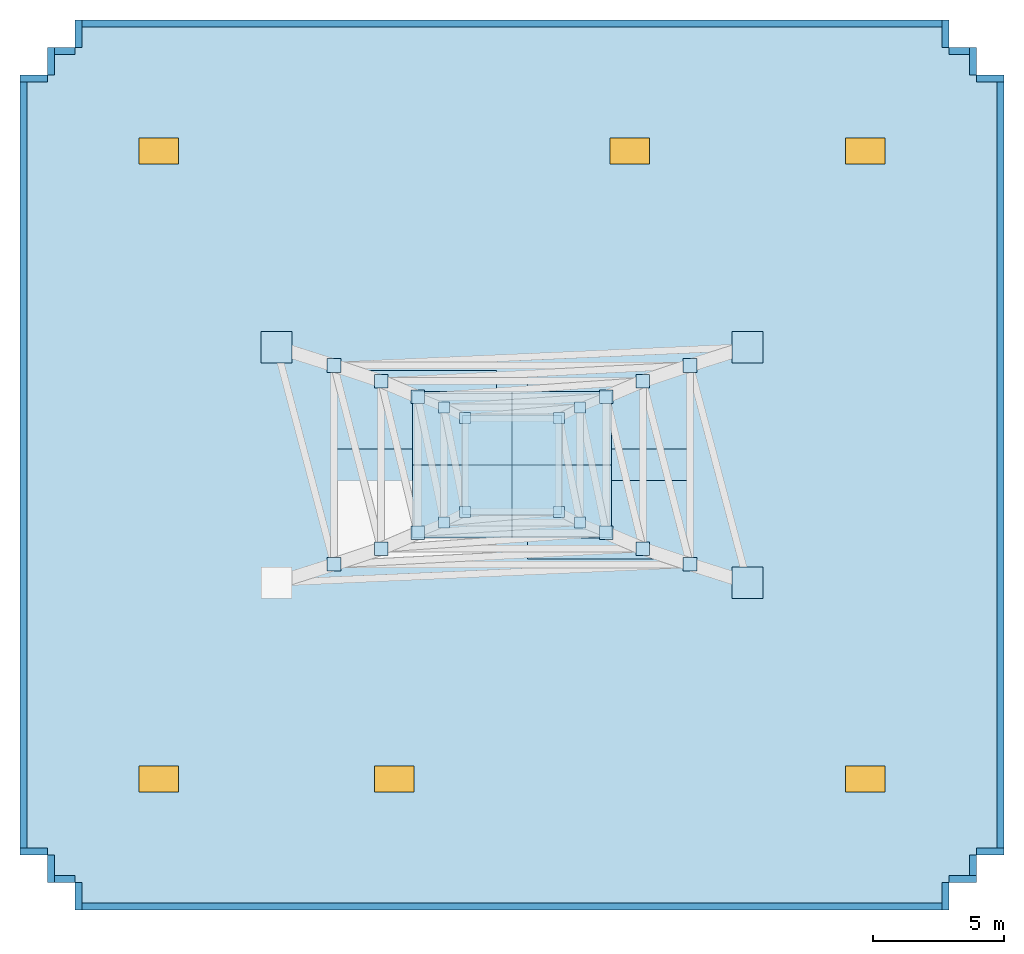
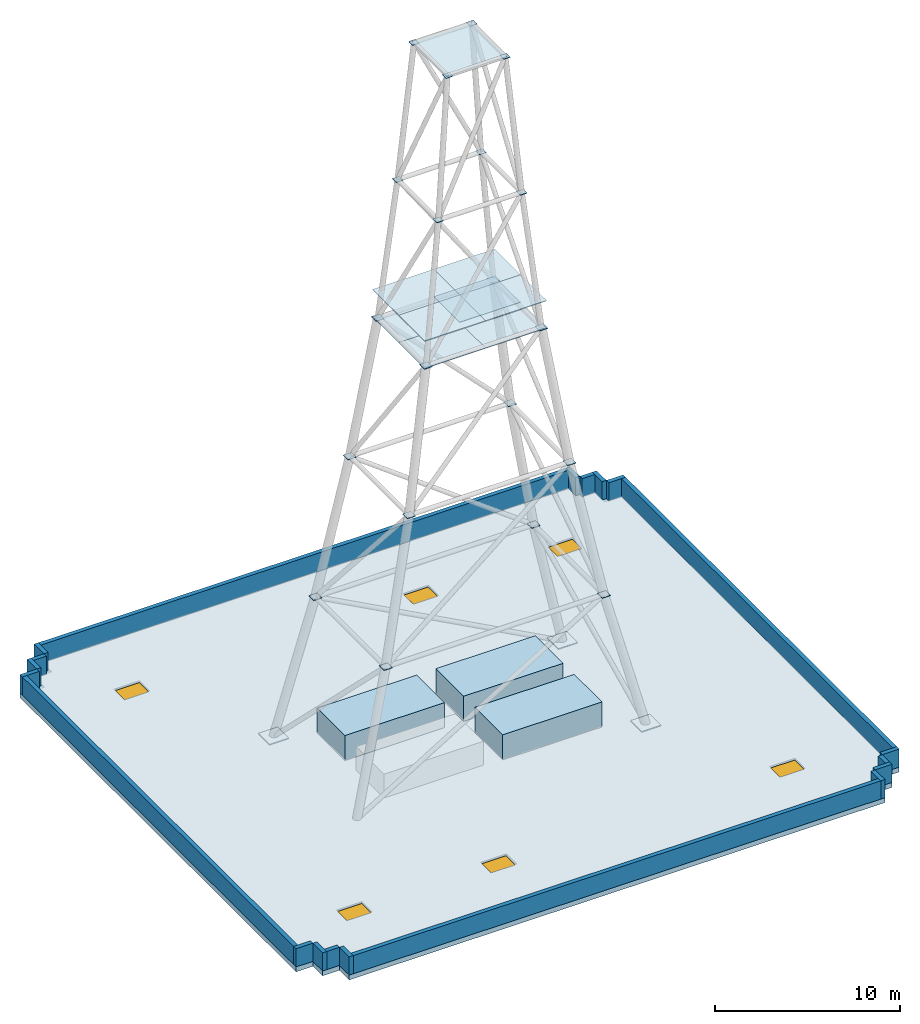
"""IFC4 building model written with IfcOpenShell, lengths in metres."""

from ifc_helpers import new_model, si_unit, direction, frame, frame_2d, origin, origin_2d, place, context, subcontext, project, spatial, polyline, rectangle, outline, extrude, source, transform, mapped, material, layer, layer_set, type_object, type_shapes, element, fill, save


model = new_model("IFC4")

# Units and contexts
model_context = context("Model", 3, precision=1e-05, world=origin(), true_north=direction((0.0, 1.0)))
body_context = subcontext(model_context, "Body", "Model", "MODEL_VIEW")
ifc_project = project(units=[si_unit("LENGTHUNIT", "METRE"), si_unit("AREAUNIT", "SQUARE_METRE"), si_unit("VOLUMEUNIT", "CUBIC_METRE"), si_unit("PLANEANGLEUNIT", "RADIAN"), si_unit("MASSUNIT", "GRAM", prefix="KILO")], contexts=[model_context])

# Site, building, storey
site_placement = place(None, origin())
site = spatial("IfcSite", under=ifc_project, at=site_placement, CompositionType="ELEMENT")
building_placement = place(site_placement, origin())
building = spatial("IfcBuilding", under=site, at=building_placement, Name="Nuvemarco Arch Tower", CompositionType="ELEMENT")
storey_1_placement = place(building_placement, frame((0.0, 0.0, 311.14990234375)))
storey_1 = spatial("IfcBuildingStorey", under=building, at=storey_1_placement, Name="RF", CompositionType="ELEMENT", Elevation=311.14990234375)

# Slab, openings
ifc_material_1 = material(Name="Concrete C50/60", Category="concrete")
ifc_layer_1 = layer(ifc_material_1, 0.320068359375, Name="SL-ROOF-320")
ifc_layer_set_1 = layer_set([ifc_layer_1], Name="Concrete C50/60")
slab_type = type_object("IfcSlabType", Name="SL-ROOF-320", PredefinedType="ROOF", material=ifc_layer_set_1)
slab_placement = place(storey_1_placement, frame((0.0, 0.0, -0.31982421875)))
slab = element("IfcSlab", 1, at=slab_placement, inside=storey_1, type_object=slab_type, Name="RF structural roof slab", PredefinedType="ROOF", context=body_context, shape_type="SweptSolid", body=[
    extrude(outline(polyline([(-16.699951171875, -17.0), (16.699951171875, -17.0), (16.699951171875, -15.949951171875), (17.75, -15.949951171875), (17.75, -14.89990234375), (18.800048828125, -14.89990234375), (18.800048828125, 14.89990234375), (17.75, 14.89990234375), (17.75, 15.949951171875), (16.699951171875, 15.949951171875), (16.699951171875, 17.0), (-16.699951171875, 17.0), (-16.699951171875, 15.949951171875), (-17.75, 15.949951171875), (-17.75, 14.89990234375), (-18.800048828125, 14.89990234375), (-18.800048828125, -14.89990234375), (-17.75, -14.89990234375), (-17.75, -15.949951171875), (-16.699951171875, -15.949951171875), (-16.699951171875, -17.0)])), origin(), (0.0, 0.0, 1.0), 0.31982421875),
])
opening_1_placement = place(slab_placement, frame((-13.5, -12.0, -0.010009765625)))
opening_1 = element("IfcOpeningElement", 2, at=opening_1_placement, cuts=slab, Name="Opening SK-1", PredefinedType="OPENING", context=body_context, shape_type="SweptSolid", body=[
    extrude(rectangle(XDim=1.5, YDim=1.0, at=origin_2d()), origin(), (0.0, 0.0, 1.0), 0.33984375),
])
opening_2_placement = place(slab_placement, frame((13.5, -12.0, -0.010009765625)))
opening_2 = element("IfcOpeningElement", 3, at=opening_2_placement, cuts=slab, Name="Opening SK-1", PredefinedType="OPENING", context=body_context, shape_type="SweptSolid", body=[
    extrude(rectangle(XDim=1.5, YDim=1.0, at=origin_2d()), origin(), (0.0, 0.0, 1.0), 0.33984375),
])
opening_3_placement = place(slab_placement, frame((-13.5, 12.0, -0.010009765625)))
opening_3 = element("IfcOpeningElement", 4, at=opening_3_placement, cuts=slab, Name="Opening SK-1", PredefinedType="OPENING", context=body_context, shape_type="SweptSolid", body=[
    extrude(rectangle(XDim=1.5, YDim=1.0, at=origin_2d()), origin(), (0.0, 0.0, 1.0), 0.33984375),
])
opening_4_placement = place(slab_placement, frame((13.5, 12.0, -0.010009765625)))
opening_4 = element("IfcOpeningElement", 5, at=opening_4_placement, cuts=slab, Name="Opening SK-1", PredefinedType="OPENING", context=body_context, shape_type="SweptSolid", body=[
    extrude(rectangle(XDim=1.5, YDim=1.0, at=origin_2d()), origin(), (0.0, 0.0, 1.0), 0.33984375),
])
opening_5_placement = place(slab_placement, frame((-4.5, -12.0, -0.010009765625)))
opening_5 = element("IfcOpeningElement", 6, at=opening_5_placement, cuts=slab, Name="Opening SK-1", PredefinedType="OPENING", context=body_context, shape_type="SweptSolid", body=[
    extrude(rectangle(XDim=1.5, YDim=1.0, at=origin_2d()), origin(), (0.0, 0.0, 1.0), 0.33984375),
])
opening_6_placement = place(slab_placement, frame((4.5, 12.0, -0.010009765625)))
opening_6 = element("IfcOpeningElement", 7, at=opening_6_placement, cuts=slab, Name="Opening SK-1", PredefinedType="OPENING", context=body_context, shape_type="SweptSolid", body=[
    extrude(rectangle(XDim=1.5, YDim=1.0, at=origin_2d()), origin(), (0.0, 0.0, 1.0), 0.33984375),
])

# Storey
storey_2_placement = place(building_placement, frame((0.0, 0.0, 307.14990234375)))
storey_2 = spatial("IfcBuildingStorey", under=building, at=storey_2_placement, Name="L81", CompositionType="ELEMENT", Elevation=307.14990234375)

# Window
ifc_material_2 = material(Name="Insulated solar-control glass", Category="glass")
window_type = type_object("IfcWindowType", Name="SK-ROOF-1500x1000", PartitioningType="SINGLE_PANEL", PredefinedType="SKYLIGHT", material=ifc_material_2)
window_1_placement = place(slab_placement, frame((-13.5, -12.0, 0.269775390625)))
window_1 = element("IfcWindow", 8, at=window_1_placement, inside=storey_2, type_object=window_type, Name="Roof skylight access hatch SK-1 #1", OverallHeight=1.0, OverallWidth=1.5, PartitioningType="SINGLE_PANEL", PredefinedType="SKYLIGHT", context=body_context, shape_type="SweptSolid", body=[
    extrude(rectangle(XDim=1.5, YDim=1.0, at=origin_2d()), origin(), (0.0, 0.0, 1.0), 0.050048828125),
])

fill(opening_1, window_1)

window_2_placement = place(slab_placement, frame((13.5, -12.0, 0.269775390625)))
window_2 = element("IfcWindow", 9, at=window_2_placement, inside=storey_2, type_object=window_type, Name="Roof skylight access hatch SK-1 #2", OverallHeight=1.0, OverallWidth=1.5, PartitioningType="SINGLE_PANEL", PredefinedType="SKYLIGHT", context=body_context, shape_type="SweptSolid", body=[
    extrude(rectangle(XDim=1.5, YDim=1.0, at=origin_2d()), origin(), (0.0, 0.0, 1.0), 0.050048828125),
])

fill(opening_2, window_2)

window_3_placement = place(slab_placement, frame((-13.5, 12.0, 0.269775390625)))
window_3 = element("IfcWindow", 10, at=window_3_placement, inside=storey_2, type_object=window_type, Name="Roof skylight access hatch SK-1 #3", OverallHeight=1.0, OverallWidth=1.5, PartitioningType="SINGLE_PANEL", PredefinedType="SKYLIGHT", context=body_context, shape_type="SweptSolid", body=[
    extrude(rectangle(XDim=1.5, YDim=1.0, at=origin_2d()), origin(), (0.0, 0.0, 1.0), 0.050048828125),
])

fill(opening_3, window_3)

window_4_placement = place(slab_placement, frame((13.5, 12.0, 0.269775390625)))
window_4 = element("IfcWindow", 11, at=window_4_placement, inside=storey_2, type_object=window_type, Name="Roof skylight access hatch SK-1 #4", OverallHeight=1.0, OverallWidth=1.5, PartitioningType="SINGLE_PANEL", PredefinedType="SKYLIGHT", context=body_context, shape_type="SweptSolid", body=[
    extrude(rectangle(XDim=1.5, YDim=1.0, at=origin_2d()), origin(), (0.0, 0.0, 1.0), 0.050048828125),
])

fill(opening_4, window_4)

window_5_placement = place(slab_placement, frame((-4.5, -12.0, 0.269775390625)))
window_5 = element("IfcWindow", 12, at=window_5_placement, inside=storey_2, type_object=window_type, Name="Roof skylight access hatch SK-1 #5", OverallHeight=1.0, OverallWidth=1.5, PartitioningType="SINGLE_PANEL", PredefinedType="SKYLIGHT", context=body_context, shape_type="SweptSolid", body=[
    extrude(rectangle(XDim=1.5, YDim=1.0, at=origin_2d()), origin(), (0.0, 0.0, 1.0), 0.050048828125),
])

fill(opening_5, window_5)

window_6_placement = place(slab_placement, frame((4.5, 12.0, 0.269775390625)))
window_6 = element("IfcWindow", 13, at=window_6_placement, inside=storey_2, type_object=window_type, Name="Roof skylight access hatch SK-1 #6", OverallHeight=1.0, OverallWidth=1.5, PartitioningType="SINGLE_PANEL", PredefinedType="SKYLIGHT", context=body_context, shape_type="SweptSolid", body=[
    extrude(rectangle(XDim=1.5, YDim=1.0, at=origin_2d()), origin(), (0.0, 0.0, 1.0), 0.050048828125),
])

fill(opening_6, window_6)

# Plates
ifc_material_3 = material(Name="Steel S355", Category="steel")
ifc_layer_2 = layer(ifc_material_3, 0.030029296875, Name="PL-CAP-400-EXT")
ifc_layer_set_2 = layer_set([ifc_layer_2], Name="Steel S355")
plate_type_1 = type_object("IfcPlateType", Name="PL-CAP-400-EXT", PredefinedType="SHEET", material=ifc_layer_set_2)
shared_shape_1 = source(origin(), body_context, "Body", "SweptSolid", [
    extrude(rectangle(XDim=0.419921875, YDim=0.419921875, at=origin_2d()), origin(), (0.0, 0.0, 1.0), 0.030029296875),
])
type_shapes(plate_type_1, [shared_shape_1])
for number, where, z_axis, x_axis, name in (
    (14, (-2.60009765625, -2.199951171875, 35.8349609375), (0.0, 0.0, 1.0), (1.0, 0.0, 0.0), "Hollow steel end-cap plate MST_LEG_T4_1_TOP"),
    (15, (2.60009765625, -2.199951171875, 35.8349609375), (0.0, 0.0, 1.0), (1.0, 0.0, 0.0), "Hollow steel end-cap plate MST_LEG_T4_2_TOP"),
    (16, (2.60009765625, 2.199951171875, 35.8349609375), (0.0, 0.0, 1.0), (1.0, 0.0, 0.0), "Hollow steel end-cap plate MST_LEG_T4_3_TOP"),
    (17, (-2.60009765625, 2.199951171875, 35.8349609375), (0.0, 0.0, 1.0), (1.0, 0.0, 0.0), "Hollow steel end-cap plate MST_LEG_T4_4_TOP"),
    (18, (-1.800048828125, -1.800048828125, 44.8349609375), (0.0, 0.0, 1.0), (1.0, 0.0, 0.0), "Hollow steel end-cap plate MST_LEG_T5_1_TOP"),
    (19, (1.800048828125, -1.800048828125, 44.8349609375), (0.0, 0.0, 1.0), (1.0, 0.0, 0.0), "Hollow steel end-cap plate MST_LEG_T5_2_TOP"),
    (20, (1.800048828125, 1.800048828125, 44.8349609375), (0.0, 0.0, 1.0), (1.0, 0.0, 0.0), "Hollow steel end-cap plate MST_LEG_T5_3_TOP"),
    (21, (-1.800048828125, 1.800048828125, 44.8349609375), (0.0, 0.0, 1.0), (1.0, 0.0, 0.0), "Hollow steel end-cap plate MST_LEG_T5_4_TOP"),
):
    element("IfcPlate", number, at=place(storey_1_placement, frame(where, z_axis=z_axis, x_axis=x_axis)), inside=storey_1, type_object=plate_type_1, Name=name, PredefinedType="SHEET", context=body_context, shape_type="MappedRepresentation", body=[
        mapped(shared_shape_1, transform((0.0, 0.0, 0.0), scale=1.0)),
    ])
ifc_layer_3 = layer(ifc_material_3, 0.030029296875, Name="PL-CAP-500-EXT")
ifc_layer_set_3 = layer_set([ifc_layer_3], Name="Steel S355")
plate_type_2 = type_object("IfcPlateType", Name="PL-CAP-500-EXT", PredefinedType="SHEET", material=ifc_layer_set_3)
shared_shape_2 = source(origin(), body_context, "Body", "SweptSolid", [
    extrude(rectangle(XDim=0.52001953125, YDim=0.52001953125, at=origin_2d()), origin(), (0.0, 0.0, 1.0), 0.030029296875),
])
type_shapes(plate_type_2, [shared_shape_2])
for number, where, z_axis, x_axis, name in (
    (22, (-6.800048828125, -3.800048828125, 8.8349609375), (0.0, 0.0, 1.0), (1.0, 0.0, 0.0), "Hollow steel end-cap plate MST_LEG_T1_1_TOP"),
    (23, (6.800048828125, -3.800048828125, 8.8349609375), (0.0, 0.0, 1.0), (1.0, 0.0, 0.0), "Hollow steel end-cap plate MST_LEG_T1_2_TOP"),
    (24, (6.800048828125, 3.800048828125, 8.8349609375), (0.0, 0.0, 1.0), (1.0, 0.0, 0.0), "Hollow steel end-cap plate MST_LEG_T1_3_TOP"),
    (25, (-6.800048828125, 3.800048828125, 8.8349609375), (0.0, 0.0, 1.0), (1.0, 0.0, 0.0), "Hollow steel end-cap plate MST_LEG_T1_4_TOP"),
    (26, (-5.0, -3.199951171875, 17.8349609375), (0.0, 0.0, 1.0), (1.0, 0.0, 0.0), "Hollow steel end-cap plate MST_LEG_T2_1_TOP"),
    (27, (5.0, -3.199951171875, 17.8349609375), (0.0, 0.0, 1.0), (1.0, 0.0, 0.0), "Hollow steel end-cap plate MST_LEG_T2_2_TOP"),
    (28, (5.0, 3.199951171875, 17.8349609375), (0.0, 0.0, 1.0), (1.0, 0.0, 0.0), "Hollow steel end-cap plate MST_LEG_T2_3_TOP"),
    (29, (-5.0, 3.199951171875, 17.8349609375), (0.0, 0.0, 1.0), (1.0, 0.0, 0.0), "Hollow steel end-cap plate MST_LEG_T2_4_TOP"),
    (30, (-3.60009765625, -2.60009765625, 26.8349609375), (0.0, 0.0, 1.0), (1.0, 0.0, 0.0), "Hollow steel end-cap plate MST_LEG_T3_1_TOP"),
    (31, (3.60009765625, -2.60009765625, 26.8349609375), (0.0, 0.0, 1.0), (1.0, 0.0, 0.0), "Hollow steel end-cap plate MST_LEG_T3_2_TOP"),
    (32, (3.60009765625, 2.60009765625, 26.8349609375), (0.0, 0.0, 1.0), (1.0, 0.0, 0.0), "Hollow steel end-cap plate MST_LEG_T3_3_TOP"),
    (33, (-3.60009765625, 2.60009765625, 26.8349609375), (0.0, 0.0, 1.0), (1.0, 0.0, 0.0), "Hollow steel end-cap plate MST_LEG_T3_4_TOP"),
):
    element("IfcPlate", number, at=place(storey_1_placement, frame(where, z_axis=z_axis, x_axis=x_axis)), inside=storey_1, type_object=plate_type_2, Name=name, PredefinedType="SHEET", context=body_context, shape_type="MappedRepresentation", body=[
        mapped(shared_shape_2, transform((0.0, 0.0, 0.0), scale=1.0)),
    ])
ifc_layer_4 = layer(ifc_material_1, 1.64990234375, Name="PL-PLANT-PLINTH")
ifc_layer_set_4 = layer_set([ifc_layer_4], Name="Concrete C50/60")
plate_type_3 = type_object("IfcPlateType", Name="PL-PLANT-PLINTH", PredefinedType="SHEET", material=ifc_layer_set_4)
shared_shape_3 = source(origin(), body_context, "Body", "SweptSolid", [
    extrude(rectangle(XDim=6.199951171875, YDim=3.0, at=origin_2d()), origin(), (0.0, 0.0, 1.0), 1.64990234375),
])
type_shapes(plate_type_3, [shared_shape_3])
for number, where, z_axis, x_axis, name in (
    (34, (3.699951171875, -2.10009765625, 0.000244140625), (0.0, 0.0, 1.0), (1.0, 0.0, 0.0), "RF Roof Broadcast Mechanical Equipment Plinth SE"),
    (35, (-3.699951171875, 2.10009765625, 0.000244140625), (0.0, 0.0, 1.0), (1.0, 0.0, 0.0), "RF Roof Broadcast Mechanical Equipment Plinth NW"),
    (36, (3.699951171875, 2.10009765625, 0.000244140625), (0.0, 0.0, 1.0), (1.0, 0.0, 0.0), "RF Roof Broadcast Mechanical Equipment Plinth NE"),
):
    element("IfcPlate", number, at=place(storey_1_placement, frame(where, z_axis=z_axis, x_axis=x_axis)), inside=storey_1, type_object=plate_type_3, Name=name, PredefinedType="SHEET", context=body_context, shape_type="MappedRepresentation", body=[
        mapped(shared_shape_3, transform((0.0, 0.0, 0.0), scale=1.0)),
    ])
ifc_material_4 = material(Name="Steel S460", Category="steel")
ifc_layer_5 = layer(ifc_material_4, 0.050048828125, Name="PL-MAST-BASE")
ifc_layer_set_5 = layer_set([ifc_layer_5], Name="Steel S460")
plate_type_4 = type_object("IfcPlateType", Name="PL-MAST-BASE", PredefinedType="USERDEFINED", material=ifc_layer_set_5)
shared_shape_4 = source(origin(), body_context, "Body", "SweptSolid", [
    extrude(rectangle(XDim=1.199951171875, YDim=1.199951171875, at=origin_2d()), origin(), (0.0, 0.0, 1.0), 0.050048828125),
])
type_shapes(plate_type_4, [shared_shape_4])
for number, where, z_axis, x_axis, name in (
    (37, (9.0, -4.5, 0.0), (0.0, 0.0, 1.0), (1.0, 0.0, 0.0), "Crown Lattice Mast base plate MST-BP1 SE on core wall CW-2"),
    (38, (9.0, 4.5, 0.0), (0.0, 0.0, 1.0), (1.0, 0.0, 0.0), "Crown Lattice Mast base plate MST-BP1 NE on core wall CW-2"),
    (39, (-9.0, 4.5, 0.0), (0.0, 0.0, 1.0), (1.0, 0.0, 0.0), "Crown Lattice Mast base plate MST-BP1 NW on core wall CW-2"),
):
    element("IfcPlate", number, at=place(storey_1_placement, frame(where, z_axis=z_axis, x_axis=x_axis)), inside=storey_1, type_object=plate_type_4, Name=name, ObjectType="BASE PLATE", PredefinedType="USERDEFINED", context=body_context, shape_type="MappedRepresentation", body=[
        mapped(shared_shape_4, transform((0.0, 0.0, 0.0), scale=1.0)),
    ])
ifc_layer_6 = layer(ifc_material_3, 0.0400390625, Name="PL-MAST-GRILLE")
ifc_layer_set_6 = layer_set([ifc_layer_6], Name="Steel S355")
plate_type_5 = type_object("IfcPlateType", Name="PL-MAST-GRILLE", PredefinedType="SHEET", material=ifc_layer_set_6)
shared_shape_5 = source(origin(), body_context, "Body", "SweptSolid", [
    extrude(rectangle(XDim=3.800048828125, YDim=2.800048828125, at=origin_2d()), origin(), (0.0, 0.0, 1.0), 0.0400390625),
])
type_shapes(plate_type_5, [shared_shape_5])
for number, where, z_axis, x_axis, name in (
    (40, (-1.89990234375, -1.39990234375, 26.830078125), (0.0, 0.0, 1.0), (1.0, 0.0, 0.0), "Broadcast Mast Maintenance and Antenna Grille Platform T3-1"),
    (41, (1.89990234375, -1.39990234375, 26.830078125), (0.0, 0.0, 1.0), (1.0, 0.0, 0.0), "Broadcast Mast Maintenance and Antenna Grille Platform T3-2"),
    (42, (-1.89990234375, 1.39990234375, 26.830078125), (0.0, 0.0, 1.0), (1.0, 0.0, 0.0), "Broadcast Mast Maintenance and Antenna Grille Platform T3-3"),
    (43, (1.89990234375, 1.39990234375, 26.830078125), (0.0, 0.0, 1.0), (1.0, 0.0, 0.0), "Broadcast Mast Maintenance and Antenna Grille Platform T3-4"),
    (44, (-1.89990234375, -1.39990234375, 28.630126953125), (0.0, 0.0, 1.0), (1.0, 0.0, 0.0), "Broadcast Mast Maintenance and Antenna Grille Platform SPILL-1"),
    (45, (1.89990234375, -1.39990234375, 28.630126953125), (0.0, 0.0, 1.0), (1.0, 0.0, 0.0), "Broadcast Mast Maintenance and Antenna Grille Platform SPILL-2"),
    (46, (-1.89990234375, 1.39990234375, 28.630126953125), (0.0, 0.0, 1.0), (1.0, 0.0, 0.0), "Broadcast Mast Maintenance and Antenna Grille Platform SPILL-3"),
    (47, (1.89990234375, 1.39990234375, 28.630126953125), (0.0, 0.0, 1.0), (1.0, 0.0, 0.0), "Broadcast Mast Maintenance and Antenna Grille Platform SPILL-4"),
):
    element("IfcPlate", number, at=place(storey_1_placement, frame(where, z_axis=z_axis, x_axis=x_axis)), inside=storey_1, type_object=plate_type_5, Name=name, PredefinedType="SHEET", context=body_context, shape_type="MappedRepresentation", body=[
        mapped(shared_shape_5, transform((0.0, 0.0, 0.0), scale=1.0)),
    ])
ifc_layer_7 = layer(ifc_material_3, 0.044921875, Name="PL-MAST-CAP")
ifc_layer_set_7 = layer_set([ifc_layer_7], Name="Steel S355")
plate_type_6 = type_object("IfcPlateType", Name="PL-MAST-CAP", PredefinedType="SHEET", material=ifc_layer_set_7)
shared_shape_6 = source(origin(), body_context, "Body", "SweptSolid", [
    extrude(rectangle(XDim=3.800048828125, YDim=3.800048828125, at=origin_2d()), origin(), (0.0, 0.0, 1.0), 0.044921875),
])
type_shapes(plate_type_6, [shared_shape_6])
plate_placement = place(storey_1_placement, frame((0.0, 0.0, 44.85009765625), z_axis=(0.0, 0.0, 1.0), x_axis=(1.0, 0.0, 0.0)))
element("IfcPlate", 48, at=plate_placement, inside=storey_1, type_object=plate_type_6, Name="Crown Lattice Mast Top Beacon Cap Plate", PredefinedType="SHEET", context=body_context, shape_type="MappedRepresentation", body=[
    mapped(shared_shape_6, transform((0.0, 0.0, 0.0), scale=1.0)),
])

# Walls
ifc_material_5 = material(Name="Precast concrete C45/55", Category="concrete")
ifc_layer_8 = layer(ifc_material_5, 0.260009765625, Name="PW-ROOF-260")
ifc_layer_set_8 = layer_set([ifc_layer_8], Name="Precast concrete C45/55")
wall_type = type_object("IfcWallType", Name="PW-ROOF-260", PredefinedType="PARAPET", material=ifc_layer_set_8)
wall_1_placement = place(storey_1_placement, frame((-16.699951171875, -16.8701171875, 0.0), z_axis=(0.0, 0.0, 1.0), x_axis=(1.0, 0.0, 0.0)))
element("IfcWall", 49, at=wall_1_placement, inside=storey_1, type_object=wall_type, Name="Roof maintenance parapet segment 1", PredefinedType="PARAPET", context=body_context, shape_type="SweptSolid", body=[
    extrude(rectangle(XDim=33.39990234375, YDim=0.260009765625, at=frame_2d((16.699951171875, 0.0))), origin(), (0.0, 0.0, 1.0), 1.2001953125),
])
for number, where, z_axis, x_axis, name in (
    (50, (16.570068359375, -17.0, 0.0), (0.0, 0.0, 1.0), (0.0, 1.0, 0.0), "Roof maintenance parapet segment 2"),
    (51, (16.699951171875, -15.820068359375, 0.0), (0.0, 0.0, 1.0), (1.0, 0.0, 0.0), "Roof maintenance parapet segment 3"),
    (52, (17.6201171875, -15.949951171875, 0.0), (0.0, 0.0, 1.0), (0.0, 1.0, 0.0), "Roof maintenance parapet segment 4"),
    (53, (17.75, -14.77001953125, 0.0), (0.0, 0.0, 1.0), (1.0, 0.0, 0.0), "Roof maintenance parapet segment 5"),
):
    element("IfcWall", number, at=place(storey_1_placement, frame(where, z_axis=z_axis, x_axis=x_axis)), inside=storey_1, type_object=wall_type, Name=name, PredefinedType="PARAPET", context=body_context, shape_type="SweptSolid", body=[
        extrude(rectangle(XDim=1.050048828125, YDim=0.260009765625, at=frame_2d((0.52490234375, 0.0))), origin(), (0.0, 0.0, 1.0), 1.2001953125),
    ])
wall_2_placement = place(storey_1_placement, frame((18.669921875, -14.89990234375, 0.0), z_axis=(0.0, 0.0, 1.0), x_axis=(0.0, 1.0, 0.0)))
element("IfcWall", 54, at=wall_2_placement, inside=storey_1, type_object=wall_type, Name="Roof maintenance parapet segment 6", PredefinedType="PARAPET", context=body_context, shape_type="SweptSolid", body=[
    extrude(rectangle(XDim=29.7998046875, YDim=0.260009765625, at=frame_2d((14.89990234375, 0.0))), origin(), (0.0, 0.0, 1.0), 1.2001953125),
])
for number, where, z_axis, x_axis, name in (
    (55, (17.75, 14.77001953125, 0.0), (0.0, 0.0, 1.0), (1.0, 0.0, 0.0), "Roof maintenance parapet segment 7"),
    (56, (17.6201171875, 14.89990234375, 0.0), (0.0, 0.0, 1.0), (0.0, 1.0, 0.0), "Roof maintenance parapet segment 8"),
    (57, (16.699951171875, 15.820068359375, 0.0), (0.0, 0.0, 1.0), (1.0, 0.0, 0.0), "Roof maintenance parapet segment 9"),
    (58, (16.570068359375, 15.949951171875, 0.0), (0.0, 0.0, 1.0), (0.0, 1.0, 0.0), "Roof maintenance parapet segment 10"),
):
    element("IfcWall", number, at=place(storey_1_placement, frame(where, z_axis=z_axis, x_axis=x_axis)), inside=storey_1, type_object=wall_type, Name=name, PredefinedType="PARAPET", context=body_context, shape_type="SweptSolid", body=[
        extrude(rectangle(XDim=1.050048828125, YDim=0.260009765625, at=frame_2d((0.52490234375, 0.0))), origin(), (0.0, 0.0, 1.0), 1.2001953125),
    ])
wall_3_placement = place(storey_1_placement, frame((-16.699951171875, 16.8701171875, 0.0), z_axis=(0.0, 0.0, 1.0), x_axis=(1.0, 0.0, 0.0)))
element("IfcWall", 59, at=wall_3_placement, inside=storey_1, type_object=wall_type, Name="Roof maintenance parapet segment 11", PredefinedType="PARAPET", context=body_context, shape_type="SweptSolid", body=[
    extrude(rectangle(XDim=33.39990234375, YDim=0.260009765625, at=frame_2d((16.699951171875, 0.0))), origin(), (0.0, 0.0, 1.0), 1.2001953125),
])
for number, where, z_axis, x_axis, name in (
    (60, (-16.570068359375, 15.949951171875, 0.0), (0.0, 0.0, 1.0), (0.0, 1.0, 0.0), "Roof maintenance parapet segment 12"),
    (61, (-17.75, 15.820068359375, 0.0), (0.0, 0.0, 1.0), (1.0, 0.0, 0.0), "Roof maintenance parapet segment 13"),
    (62, (-17.6201171875, 14.89990234375, 0.0), (0.0, 0.0, 1.0), (0.0, 1.0, 0.0), "Roof maintenance parapet segment 14"),
    (63, (-18.800048828125, 14.77001953125, 0.0), (0.0, 0.0, 1.0), (1.0, 0.0, 0.0), "Roof maintenance parapet segment 15"),
):
    element("IfcWall", number, at=place(storey_1_placement, frame(where, z_axis=z_axis, x_axis=x_axis)), inside=storey_1, type_object=wall_type, Name=name, PredefinedType="PARAPET", context=body_context, shape_type="SweptSolid", body=[
        extrude(rectangle(XDim=1.050048828125, YDim=0.260009765625, at=frame_2d((0.52490234375, 0.0))), origin(), (0.0, 0.0, 1.0), 1.2001953125),
    ])
wall_4_placement = place(storey_1_placement, frame((-18.669921875, -14.89990234375, 0.0), z_axis=(0.0, 0.0, 1.0), x_axis=(0.0, 1.0, 0.0)))
element("IfcWall", 64, at=wall_4_placement, inside=storey_1, type_object=wall_type, Name="Roof maintenance parapet segment 16", PredefinedType="PARAPET", context=body_context, shape_type="SweptSolid", body=[
    extrude(rectangle(XDim=29.7998046875, YDim=0.260009765625, at=frame_2d((14.89990234375, 0.0))), origin(), (0.0, 0.0, 1.0), 1.2001953125),
])
for number, where, z_axis, x_axis, name in (
    (65, (-18.800048828125, -14.77001953125, 0.0), (0.0, 0.0, 1.0), (1.0, 0.0, 0.0), "Roof maintenance parapet segment 17"),
    (66, (-17.6201171875, -15.949951171875, 0.0), (0.0, 0.0, 1.0), (0.0, 1.0, 0.0), "Roof maintenance parapet segment 18"),
    (67, (-17.75, -15.820068359375, 0.0), (0.0, 0.0, 1.0), (1.0, 0.0, 0.0), "Roof maintenance parapet segment 19"),
    (68, (-16.570068359375, -17.0, 0.0), (0.0, 0.0, 1.0), (0.0, 1.0, 0.0), "Roof maintenance parapet segment 20"),
):
    element("IfcWall", number, at=place(storey_1_placement, frame(where, z_axis=z_axis, x_axis=x_axis)), inside=storey_1, type_object=wall_type, Name=name, PredefinedType="PARAPET", context=body_context, shape_type="SweptSolid", body=[
        extrude(rectangle(XDim=1.050048828125, YDim=0.260009765625, at=frame_2d((0.52490234375, 0.0))), origin(), (0.0, 0.0, 1.0), 1.2001953125),
    ])

save(model, "model.ifc")
